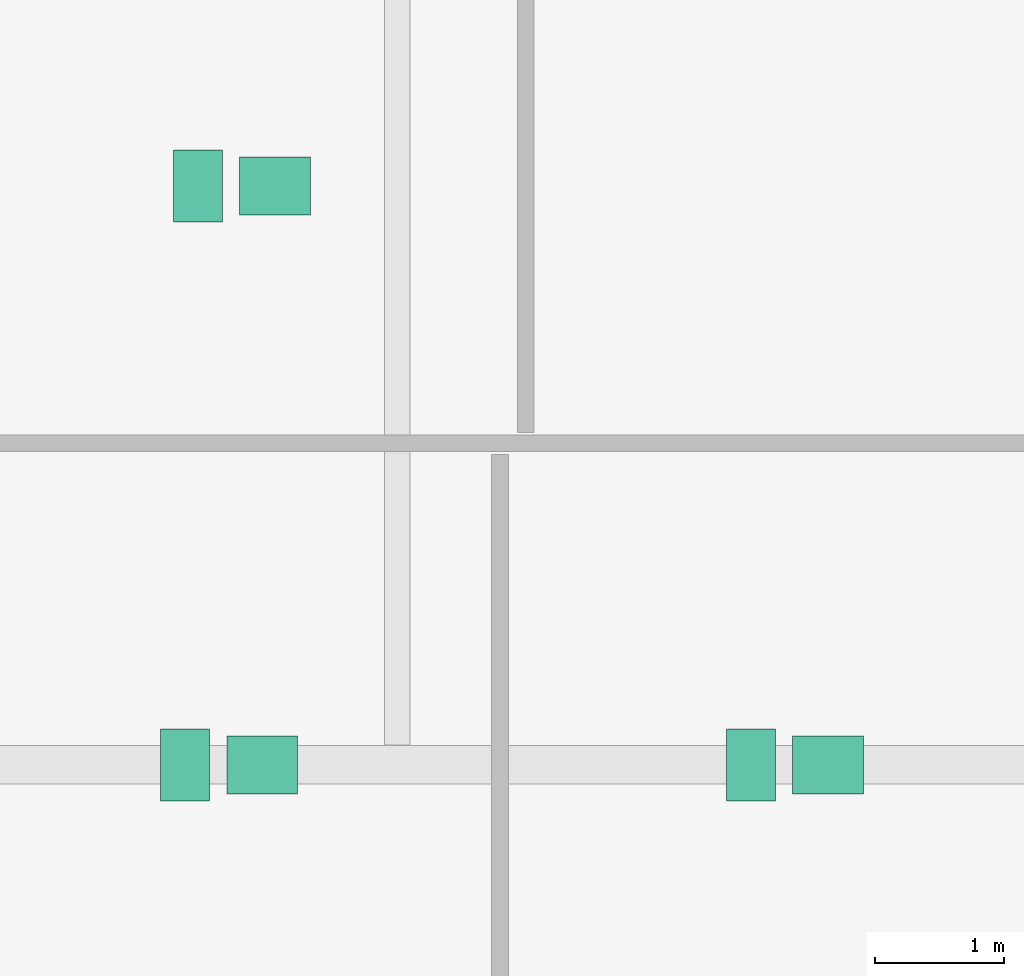
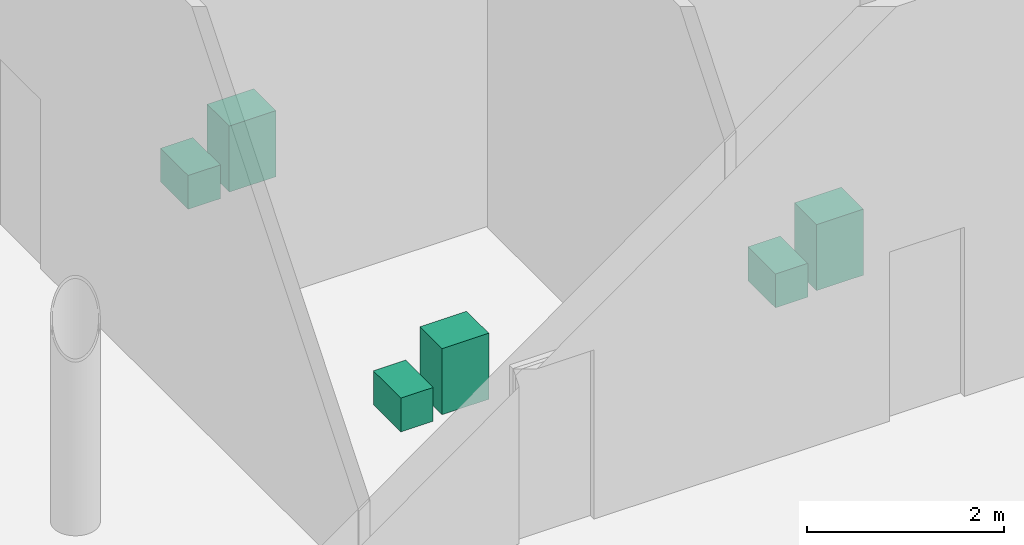
# One storey, part 20 of 21: 6 sanitary terminals.
"""IFC4 building model written with IfcOpenShell, lengths in metres."""

import ifcopenshell
import ifcopenshell.guid

model = None  # the IFC model being written
_history = None  # IfcOwnerHistory: only IFC2X3 demands one
_inside = {}  # id of a spatial element -> (the spatial element, [elements in it])
_under = {}  # id of a project, library or spatial element -> (it, [spatial elements below it])
_declared = {}  # id of a project -> (the project, [libraries it declares])
_typed = {}  # id of a type object -> (the type object, [elements of that type])
_made_of = {}  # id of a material, layer set ... -> (it, [elements and type objects made of it])


def new_model(schema):
    """Start an empty IFC model of exactly this schema.

    Asked for "IFC4X3", IfcOpenShell would pick the latest addendum, in which some entities
    have other attributes; the version numbers below select the first issue.
    IFC2X3 requires an IfcOwnerHistory on every rooted entity: one is made here for all.
    """
    global model, _history
    if schema == "IFC4X3":
        model = ifcopenshell.file(schema_version=(4, 3, 0, 0))
    else:
        model = ifcopenshell.file(schema=schema)
    _inside.clear()
    _under.clear()
    _declared.clear()
    _typed.clear()
    _made_of.clear()
    _history = None
    if model.schema == "IFC2X3":
        org = make("IfcOrganization", Name="unknown")
        user = make(
            "IfcPersonAndOrganization",
            ThePerson=make("IfcPerson", FamilyName="unknown"),
            TheOrganization=org,
        )
        app = make(
            "IfcApplication",
            ApplicationDeveloper=org,
            Version="unknown",
            ApplicationFullName="unknown",
            ApplicationIdentifier="unknown",
        )
        _history = make(
            "IfcOwnerHistory",
            OwningUser=user,
            OwningApplication=app,
            ChangeAction="ADDED",
            CreationDate=0,
        )
    return model


def make(cls, **values):
    """One entity of the class cls with the attributes given. An attribute that is None is left unset."""
    return model.create_entity(
        cls, **{name: value for name, value in values.items() if value is not None}
    )


def rooted(cls, **values):
    """An entity with a GlobalId (a new one), such as an element, a storey or a relation."""
    return make(cls, GlobalId=ifcopenshell.guid.new(), OwnerHistory=_history, **values)


def si_unit(unit_type, name, prefix=None):
    """IfcSIUnit, for example si_unit("LENGTHUNIT", "METRE", prefix="MILLI")."""
    return make("IfcSIUnit", UnitType=unit_type, Prefix=prefix, Name=name)


def assignment(units):
    """IfcUnitAssignment: the units of a project."""
    return None if units is None else make("IfcUnitAssignment", Units=units)


def point(xyz):
    """IfcCartesianPoint."""
    return None if xyz is None else make("IfcCartesianPoint", Coordinates=xyz)


def direction(xyz):
    """IfcDirection."""
    return None if xyz is None else make("IfcDirection", DirectionRatios=xyz)


def frame(location, z_axis=None, x_axis=None):
    """IfcAxis2Placement3D, a coordinate frame: its origin and axes. An axis left out is left unset."""
    return make(
        "IfcAxis2Placement3D",
        Location=point(location),
        Axis=direction(z_axis),
        RefDirection=direction(x_axis),
    )


def frame_2d(location, x_axis=None):
    """IfcAxis2Placement2D, a coordinate frame in the plane: its origin and x axis."""
    return make(
        "IfcAxis2Placement2D", Location=point(location), RefDirection=direction(x_axis)
    )


def origin():
    """The frame at (0, 0, 0) with its axes left unset."""
    return frame((0.0, 0.0, 0.0))


def origin_2d():
    """The frame at (0, 0) in the plane with its x axis left unset."""
    return frame_2d((0.0, 0.0))


def place(relative_to, where):
    """IfcLocalPlacement: puts the frame where relative to a parent placement (None: the world)."""
    return make(
        "IfcLocalPlacement", PlacementRelTo=relative_to, RelativePlacement=where
    )


def context(
    kind, dimensions, precision=None, world=None, true_north=None, identifier=None
):
    """IfcGeometricRepresentationContext, for example the 3D "Model" context."""
    return make(
        "IfcGeometricRepresentationContext",
        ContextIdentifier=identifier,
        ContextType=kind,
        CoordinateSpaceDimension=dimensions,
        Precision=precision,
        WorldCoordinateSystem=world,
        TrueNorth=true_north,
    )


def subcontext(parent, identifier, kind, view, scale=None):
    """IfcGeometricRepresentationSubContext, for example "Body" below "Model"."""
    return make(
        "IfcGeometricRepresentationSubContext",
        ContextIdentifier=identifier,
        ContextType=kind,
        ParentContext=parent,
        TargetScale=scale,
        TargetView=view,
    )


def project(units=None, contexts=None):
    """IfcProject with its units and contexts."""
    return rooted(
        "IfcProject",
        Name="project",
        RepresentationContexts=contexts,
        UnitsInContext=assignment(units),
    )


def spatial(cls, under=None, at=None, **own):
    """A site, building, storey or space (cls), placed at a placement, below another one or the project."""
    s = rooted(cls, ObjectPlacement=at, **own)
    if under is not None:
        _under.setdefault(under.id(), (under, []))[1].append(s)
    return s


def profile(cls, at=None, kind="AREA", **sizes):
    """A parametric profile (cls). Its sizes go by their IFC names, for example OverallWidth=200.0."""
    return make(cls, ProfileType=kind, Position=at, **sizes)


def rectangle(**sizes):
    """IfcRectangleProfileDef."""
    return profile("IfcRectangleProfileDef", **sizes)


def extrude(swept, where, along, depth):
    """IfcExtrudedAreaSolid: the profile swept, set in the frame where, extruded along a direction by depth."""
    return make(
        "IfcExtrudedAreaSolid",
        SweptArea=swept,
        Position=where,
        ExtrudedDirection=direction(along),
        Depth=depth,
    )


def shape(context_of_items, identifier, shape_type, items):
    """IfcShapeRepresentation: the items that make up one representation, for example the "Body"."""
    return make(
        "IfcShapeRepresentation",
        ContextOfItems=context_of_items,
        RepresentationIdentifier=identifier,
        RepresentationType=shape_type,
        Items=items,
    )


def source(mapping_origin, context_of_items, identifier, shape_type, items):
    """IfcRepresentationMap: a shape defined once, which mapped items show again and again."""
    return make(
        "IfcRepresentationMap",
        MappingOrigin=mapping_origin,
        MappedRepresentation=shape(context_of_items, identifier, shape_type, items),
    )


def transform(
    local_origin,
    x_axis=None,
    y_axis=None,
    z_axis=None,
    scale=None,
    scale2=None,
    scale3=None,
    uniform=True,
):
    """IfcCartesianTransformationOperator3D, or its non-uniform kind. x_axis, y_axis, z_axis: its Axis1, 2, 3."""
    if uniform:
        return make(
            "IfcCartesianTransformationOperator3D",
            Axis1=direction(x_axis),
            Axis2=direction(y_axis),
            LocalOrigin=point(local_origin),
            Scale=scale,
            Axis3=direction(z_axis),
        )
    return make(
        "IfcCartesianTransformationOperator3DnonUniform",
        Axis1=direction(x_axis),
        Axis2=direction(y_axis),
        LocalOrigin=point(local_origin),
        Scale=scale,
        Axis3=direction(z_axis),
        Scale2=scale2,
        Scale3=scale3,
    )


def mapped(mapping_source, mapping_target):
    """IfcMappedItem: shows the shape of a source again, moved by a transform."""
    return make(
        "IfcMappedItem", MappingSource=mapping_source, MappingTarget=mapping_target
    )


def material(Name=None, Category=None):
    """IfcMaterial."""
    return make("IfcMaterial", Name=Name, Category=Category)


def made_of(thing, what):
    """Note that an element or type object is made of a material, layer set ...; save() writes the relation."""
    if what is not None:
        _made_of.setdefault(what.id(), (what, []))[1].append(thing)
    return thing


def type_object(cls, material=None, **own):
    """A type object (cls), such as IfcWallType, which elements share."""
    return made_of(rooted(cls, **own), material)


def type_shapes(of_type, sources):
    """Give a type object the sources (RepresentationMaps) that its elements show as mapped items."""
    of_type.RepresentationMaps = sources


def element(
    cls,
    number,
    at=None,
    inside=None,
    cuts=None,
    type_object=None,
    material=None,
    context=None,
    identifier="Body",
    shape_type=None,
    held_by="IfcProductDefinitionShape",
    body=None,
    shapes=None,
    **own,
):
    """One element of the class cls, such as IfcWall. Its Tag is "e" and its number.

    at: its placement. inside: the storey or other place that contains it. cuts: it is an
    opening in that element (IfcRelVoidsElement). A single representation is given by context,
    identifier, shape_type and body (its items); several are given by shapes. held_by: the class
    of the entity that holds the representations. save() writes the other relations.
    """
    e = rooted(cls, Tag="e%d" % number, ObjectPlacement=at, **own)
    if body is not None:
        shapes = [shape(context, identifier, shape_type, body)]
    if shapes is not None:
        e.Representation = make(held_by, Representations=shapes)
    if inside is not None:
        _inside.setdefault(inside.id(), (inside, []))[1].append(e)
    if cuts is not None:
        rooted(
            "IfcRelVoidsElement", RelatingBuildingElement=cuts, RelatedOpeningElement=e
        )
    if type_object is not None:
        _typed.setdefault(type_object.id(), (type_object, []))[1].append(e)
    return made_of(e, material)


def aggregate(whole, parts):
    """IfcRelAggregates: a whole, such as a stair, and the parts it consists of."""
    return rooted("IfcRelAggregates", RelatingObject=whole, RelatedObjects=parts)


def save(model, path):
    """Write the relations noted so far, then the file.

    IfcRelAggregates (storeys below a building ...), IfcRelContainedInSpatialStructure (elements
    in a storey), IfcRelDefinesByType, IfcRelAssociatesMaterial and IfcRelDeclares: one each for
    every whole, place, type object, material and project.
    """
    for whole, parts in _under.values():
        aggregate(whole, parts)
    for where, things in _inside.values():
        rooted(
            "IfcRelContainedInSpatialStructure",
            RelatedElements=things,
            RelatingStructure=where,
        )
    for kind, things in _typed.values():
        rooted("IfcRelDefinesByType", RelatedObjects=things, RelatingType=kind)
    for what, things in _made_of.values():
        rooted("IfcRelAssociatesMaterial", RelatedObjects=things, RelatingMaterial=what)
    for by, libraries in _declared.values():
        rooted("IfcRelDeclares", RelatingContext=by, RelatedDefinitions=libraries)
    model.write(path)


model = new_model("IFC4")

# Units and contexts
model_context = context("Model", 3, precision=1e-05, world=origin(), true_north=direction((0.0, 1.0)))
body_context = subcontext(model_context, "Body", "Model", "MODEL_VIEW")
ifc_project = project(units=[si_unit("LENGTHUNIT", "METRE"), si_unit("AREAUNIT", "SQUARE_METRE"), si_unit("VOLUMEUNIT", "CUBIC_METRE"), si_unit("PLANEANGLEUNIT", "RADIAN"), si_unit("MASSUNIT", "GRAM", prefix="KILO")], contexts=[model_context])

# Site, building, storey
site_placement = place(None, origin())
site = spatial("IfcSite", under=ifc_project, at=site_placement, CompositionType="ELEMENT")
building_placement = place(site_placement, origin())
building = spatial("IfcBuilding", under=site, at=building_placement, Name="Seokmaru Belvedere", CompositionType="ELEMENT")
storey_placement = place(building_placement, origin())
storey = spatial("IfcBuildingStorey", under=building, at=storey_placement, Name="L00", CompositionType="ELEMENT", Elevation=0.0)

# Sanitary terminals
ifc_material = material(Name="Vitreous China Sanitaryware")
sanitary_terminal_type_1 = type_object("IfcSanitaryTerminalType", Name="Wall-Hung Vitreous China WC Pan", PredefinedType="TOILETPAN", material=ifc_material)
shared_shape_1 = source(origin(), body_context, "Body", "SweptSolid", [
    extrude(rectangle(XDim=0.3798828125, YDim=0.56005859375, at=origin_2d()), origin(), (0.0, 0.0, 1.0), 0.419921875),
])
type_shapes(sanitary_terminal_type_1, [shared_shape_1])
for number, where, z_axis, x_axis, name in (
    (1, (20.35009765625, 9.0, 0.0), (0.0, 0.0, 1.0), (1.0, 0.0, 0.0), "L00 Vitreous China WC 0003"),
    (2, (24.75, 9.0, 0.0), (0.0, 0.0, 1.0), (1.0, 0.0, 0.0), "L00 Vitreous China WC 0004"),
    (3, (20.449951171875, 13.5, 0.0), (0.0, 0.0, 1.0), (1.0, 0.0, 0.0), "L00 Vitreous China WC 0005"),
):
    element("IfcSanitaryTerminal", number, at=place(storey_placement, frame(where, z_axis=z_axis, x_axis=x_axis)), inside=storey, type_object=sanitary_terminal_type_1, Name=name, PredefinedType="TOILETPAN", context=body_context, shape_type="MappedRepresentation", body=[
        mapped(shared_shape_1, transform((0.0, 0.0, 0.0), scale=1.0)),
    ])
sanitary_terminal_type_2 = type_object("IfcSanitaryTerminalType", Name="Countertop Ceramic Washhand Basin", PredefinedType="WASHHANDBASIN", material=ifc_material)
shared_shape_2 = source(origin(), body_context, "Body", "SweptSolid", [
    extrude(rectangle(XDim=0.550048828125, YDim=0.449951171875, at=origin_2d()), origin(), (0.0, 0.0, 1.0), 0.820068359375),
])
type_shapes(sanitary_terminal_type_2, [shared_shape_2])
for number, where, z_axis, x_axis, name in (
    (4, (20.949951171875, 9.0, 0.0), (0.0, 0.0, 1.0), (1.0, 0.0, 0.0), "L00 Ceramic Washhand Basin 0003"),
    (5, (25.35009765625, 9.0, 0.0), (0.0, 0.0, 1.0), (1.0, 0.0, 0.0), "L00 Ceramic Washhand Basin 0004"),
    (6, (21.050048828125, 13.5, 0.0), (0.0, 0.0, 1.0), (1.0, 0.0, 0.0), "L00 Ceramic Washhand Basin 0005"),
):
    element("IfcSanitaryTerminal", number, at=place(storey_placement, frame(where, z_axis=z_axis, x_axis=x_axis)), inside=storey, type_object=sanitary_terminal_type_2, Name=name, PredefinedType="WASHHANDBASIN", context=body_context, shape_type="MappedRepresentation", body=[
        mapped(shared_shape_2, transform((0.0, 0.0, 0.0), scale=1.0)),
    ])

save(model, "model.ifc")
